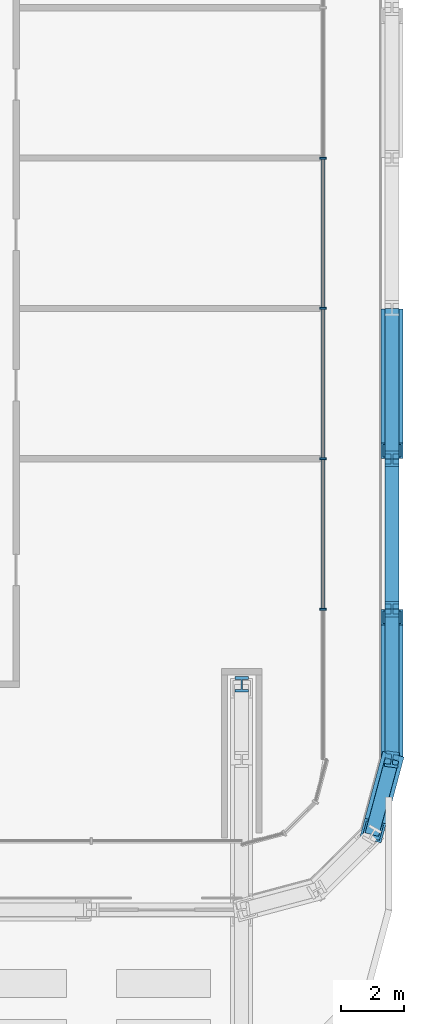
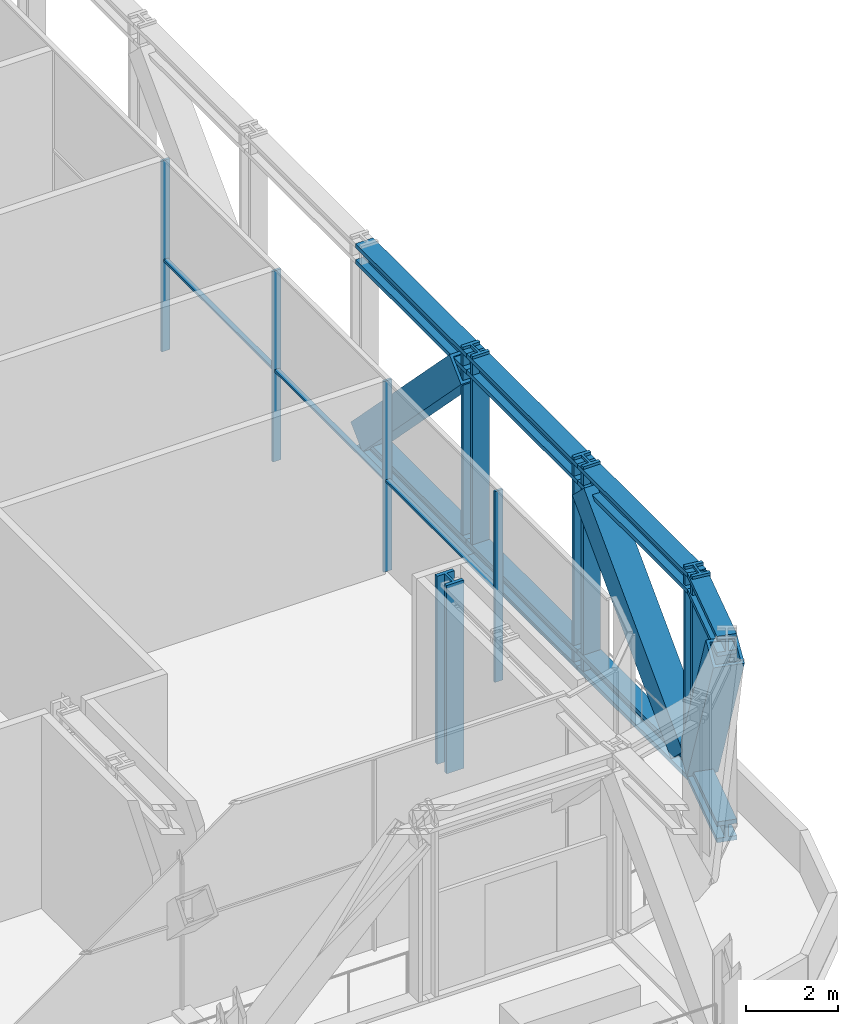
# One storey, part 6 of 23: 22 members, 1 element without a shape of its own.
"""IFC4 building model written with IfcOpenShell, lengths in metres."""

from ifc_helpers import new_model, si_unit, direction, frame, origin, origin_2d, place, context, subcontext, project, spatial, rectangle, hollow_rectangle, i_section, extrude, material, layer, layer_set, material_profile, profile_set, type_object, element, aggregate, save


model = new_model("IFC4")

# Units and contexts
model_context = context("Model", 3, precision=1e-05, world=origin(), true_north=direction((0.0, 1.0)))
body_context = subcontext(model_context, "Body", "Model", "MODEL_VIEW")
ifc_project = project(units=[si_unit("LENGTHUNIT", "METRE"), si_unit("AREAUNIT", "SQUARE_METRE"), si_unit("VOLUMEUNIT", "CUBIC_METRE"), si_unit("PLANEANGLEUNIT", "RADIAN"), si_unit("MASSUNIT", "GRAM", prefix="KILO")], contexts=[model_context])

# Site, building, storey
site_placement = place(None, origin())
site = spatial("IfcSite", under=ifc_project, at=site_placement, CompositionType="ELEMENT")
building_placement = place(site_placement, origin())
building = spatial("IfcBuilding", under=site, at=building_placement, Name="Madar Terraces", CompositionType="ELEMENT")
storey_placement = place(building_placement, frame((0.0, 0.0, 83.800048828125)))
storey = spatial("IfcBuildingStorey", under=building, at=storey_placement, Name="L21", CompositionType="ELEMENT", Elevation=83.800048828125)

# Members
ifc_material_1 = material(Name="Steel ASTM A913 Grade 65", Category="steel")
ifc_material_profile_1 = material_profile(ifc_material_1, i_section(OverallWidth=0.449462890625, OverallDepth=0.548583984375, WebThickness=0.07177734375, FlangeThickness=0.11474609375, at=origin_2d()), Name="W14x665")
ifc_profile_set_1 = profile_set([ifc_material_profile_1], Name="Steel ASTM A913 Grade 65")
member_type_1 = type_object("IfcMemberType", Name="BC3 W14x665", PredefinedType="CHORD", material=ifc_profile_set_1)
member_1_placement = place(storey_placement, frame((61.7568359375, 7.199951171875, -0.145751953125), z_axis=(0.258799930484, 0.965930947833, 0.0), x_axis=(-0.965930947833, 0.258799930484, 0.0)))
element("IfcMember", 1, at=member_1_placement, inside=storey, type_object=member_type_1, Name="Exoskeleton truss ring bottom chord BC3", PredefinedType="CHORD", context=body_context, shape_type="SweptSolid", body=[
    extrude(i_section(OverallWidth=0.449462890625, OverallDepth=0.548583984375, WebThickness=0.07177734375, FlangeThickness=0.11474609375, at=origin_2d()), origin(), (0.0, 0.0, 1.0), 2.48486328125),
])
member_2_placement = place(storey_placement, frame((62.39990234375, 9.60009765625, -0.145751953125), z_axis=(0.0, 1.0, 0.0), x_axis=(-1.0, 0.0, 0.0)))
element("IfcMember", 2, at=member_2_placement, inside=storey, type_object=member_type_1, Name="Exoskeleton truss ring bottom chord BC3", PredefinedType="CHORD", context=body_context, shape_type="SweptSolid", body=[
    extrude(i_section(OverallWidth=0.449462890625, OverallDepth=0.548583984375, WebThickness=0.07177734375, FlangeThickness=0.11474609375, at=origin_2d()), origin(), (0.0, 0.0, 1.0), 4.7998046875),
])
for number, where, z_axis, x_axis, name in (
    (3, (62.39990234375, 14.39990234375, -0.145751953125), (0.0, 1.0, 0.0), (-1.0, 0.0, 0.0), "Exoskeleton truss ring bottom chord BC3"),
    (4, (62.39990234375, 19.199951171875, -0.145751953125), (0.0, 1.0, 0.0), (-1.0, 0.0, 0.0), "Exoskeleton truss ring bottom chord BC3"),
):
    element("IfcMember", number, at=place(storey_placement, frame(where, z_axis=z_axis, x_axis=x_axis)), inside=storey, type_object=member_type_1, Name=name, PredefinedType="CHORD", context=body_context, shape_type="SweptSolid", body=[
        extrude(i_section(OverallWidth=0.449462890625, OverallDepth=0.548583984375, WebThickness=0.07177734375, FlangeThickness=0.11474609375, at=origin_2d()), origin(), (0.0, 0.0, 1.0), 4.800048828125),
    ])

# Curtain wall, members
ifc_material_2 = material(Name="Glass, ceramic frit dark grey, with black aluminium frame", Category="aluminium")
ifc_layer = layer(ifc_material_2, 0.199951171875)
ifc_layer_set = layer_set([ifc_layer], Name="Facade curtain wall, tall glazing")
curtain_wall_type = type_object("IfcCurtainWallType", Name="Facade curtain wall, tall glazing", PredefinedType="NOTDEFINED", material=ifc_layer_set)
curtain_wall_placement = place(storey_placement, origin())
curtain_wall = element("IfcCurtainWall", 5, at=curtain_wall_placement, inside=storey, type_object=curtain_wall_type, Name="Outer skin curtain wall east bay 1", PredefinedType="NOTDEFINED")
ifc_material_3 = material(Name="Aluminium, black anodised", Category="aluminium")
ifc_material_profile_2 = material_profile(ifc_material_3, rectangle(XDim=0.199951171875, YDim=0.06005859375, at=origin_2d()), Name="Facade mullion 60x200")
ifc_profile_set_2 = profile_set([ifc_material_profile_2], Name="Aluminium, black anodised")
member_type_2 = type_object("IfcMemberType", Name="Facade mullion 60x200", PredefinedType="MULLION", material=ifc_profile_set_2)
member_3_placement = place(storey_placement, frame((60.199951171875, 14.39990234375, 0.0), z_axis=(0.0, 0.0, 1.0), x_axis=(-1.0, 0.0, 0.0)))
member_3 = element("IfcMember", 6, at=member_3_placement, type_object=member_type_2, Name="Mullion 1", PredefinedType="MULLION", context=body_context, shape_type="SweptSolid", body=[
    extrude(rectangle(XDim=0.199951171875, YDim=0.06005859375, at=origin_2d()), origin(), (0.0, 0.0, 1.0), 5.0400390625),
])
member_4_placement = place(storey_placement, frame((60.199951171875, 19.199951171875, 0.0), z_axis=(0.0, 0.0, 1.0), x_axis=(-1.0, 0.0, 0.0)))
member_4 = element("IfcMember", 7, at=member_4_placement, type_object=member_type_2, Name="Mullion 2", PredefinedType="MULLION", context=body_context, shape_type="SweptSolid", body=[
    extrude(rectangle(XDim=0.199951171875, YDim=0.06005859375, at=origin_2d()), origin(), (0.0, 0.0, 1.0), 5.0400390625),
])
member_5_placement = place(storey_placement, frame((60.199951171875, 24.0, 0.0), z_axis=(0.0, 0.0, 1.0), x_axis=(-1.0, 0.0, 0.0)))
member_5 = element("IfcMember", 8, at=member_5_placement, type_object=member_type_2, Name="Mullion 3", PredefinedType="MULLION", context=body_context, shape_type="SweptSolid", body=[
    extrude(rectangle(XDim=0.199951171875, YDim=0.06005859375, at=origin_2d()), origin(), (0.0, 0.0, 1.0), 5.0400390625),
])
member_6_placement = place(storey_placement, frame((60.199951171875, 28.800048828125, 0.0), z_axis=(0.0, 0.0, 1.0), x_axis=(-1.0, 0.0, 0.0)))
member_6 = element("IfcMember", 9, at=member_6_placement, type_object=member_type_2, Name="Mullion 4", PredefinedType="MULLION", context=body_context, shape_type="SweptSolid", body=[
    extrude(rectangle(XDim=0.199951171875, YDim=0.06005859375, at=origin_2d()), origin(), (0.0, 0.0, 1.0), 5.0400390625),
])
ifc_material_4 = material(Name="Aluminium, black anodised", Category="aluminium")
ifc_material_profile_3 = material_profile(ifc_material_4, rectangle(XDim=0.1201171875, YDim=0.06005859375, at=origin_2d()), Name="Facade transom 60x120")
ifc_profile_set_3 = profile_set([ifc_material_profile_3], Name="Aluminium, black anodised")
member_type_3 = type_object("IfcMemberType", Name="Facade transom 60x120", PredefinedType="USERDEFINED", material=ifc_profile_set_3)
member_7_placement = place(storey_placement, frame((60.199951171875, 14.429931640625, 2.39990234375), z_axis=(0.0, 1.0, 0.0), x_axis=(-1.0, 0.0, 0.0)))
member_7 = element("IfcMember", 10, at=member_7_placement, type_object=member_type_3, Name="Transom 3", ObjectType="TRANSOM", PredefinedType="USERDEFINED", context=body_context, shape_type="SweptSolid", body=[
    extrude(rectangle(XDim=0.1201171875, YDim=0.06005859375, at=origin_2d()), origin(), (0.0, 0.0, 1.0), 4.739990234375),
])
member_8_placement = place(storey_placement, frame((60.199951171875, 19.22998046875, 2.39990234375), z_axis=(0.0, 1.0, 0.0), x_axis=(-1.0, 0.0, 0.0)))
member_8 = element("IfcMember", 11, at=member_8_placement, type_object=member_type_3, Name="Transom 4", ObjectType="TRANSOM", PredefinedType="USERDEFINED", context=body_context, shape_type="SweptSolid", body=[
    extrude(rectangle(XDim=0.1201171875, YDim=0.06005859375, at=origin_2d()), origin(), (0.0, 0.0, 1.0), 4.739990234375),
])
member_9_placement = place(storey_placement, frame((60.199951171875, 24.030029296875, 2.39990234375), z_axis=(0.0, 1.0, 0.0), x_axis=(-1.0, 0.0, 0.0)))
member_9 = element("IfcMember", 12, at=member_9_placement, type_object=member_type_3, Name="Transom 5", ObjectType="TRANSOM", PredefinedType="USERDEFINED", context=body_context, shape_type="SweptSolid", body=[
    extrude(rectangle(XDim=0.1201171875, YDim=0.06005859375, at=origin_2d()), origin(), (0.0, 0.0, 1.0), 4.739990234375),
])
aggregate(curtain_wall, [member_3, member_4, member_5, member_6, member_7, member_8, member_9])

# Members
ifc_material_5 = material(Name="Steel ASTM A913 Grade 65", Category="steel")
ifc_material_profile_4 = material_profile(ifc_material_5, i_section(OverallWidth=0.44189453125, OverallDepth=0.53076171875, WebThickness=0.06591796875, FlangeThickness=0.105712890625, at=origin_2d()), Name="W14x605")
ifc_profile_set_4 = profile_set([ifc_material_profile_4], Name="Steel ASTM A913 Grade 65")
member_type_4 = type_object("IfcMemberType", Name="TC3 W14x605", PredefinedType="CHORD", material=ifc_profile_set_4)
member_10_placement = place(storey_placement, frame((61.7568359375, 7.199951171875, 4.764404296875), z_axis=(0.258799930484, 0.965930947833, 0.0), x_axis=(-0.965930947833, 0.258799930484, 0.0)))
element("IfcMember", 13, at=member_10_placement, inside=storey, type_object=member_type_4, Name="Exoskeleton truss ring top chord TC3", PredefinedType="CHORD", context=body_context, shape_type="SweptSolid", body=[
    extrude(i_section(OverallWidth=0.44189453125, OverallDepth=0.53076171875, WebThickness=0.06591796875, FlangeThickness=0.105712890625, at=origin_2d()), origin(), (0.0, 0.0, 1.0), 2.48486328125),
])
member_11_placement = place(storey_placement, frame((62.39990234375, 9.60009765625, 4.764404296875), z_axis=(0.0, 1.0, 0.0), x_axis=(-1.0, 0.0, 0.0)))
element("IfcMember", 14, at=member_11_placement, inside=storey, type_object=member_type_4, Name="Exoskeleton truss ring top chord TC3", PredefinedType="CHORD", context=body_context, shape_type="SweptSolid", body=[
    extrude(i_section(OverallWidth=0.44189453125, OverallDepth=0.53076171875, WebThickness=0.06591796875, FlangeThickness=0.105712890625, at=origin_2d()), origin(), (0.0, 0.0, 1.0), 4.7998046875),
])
for number, where, z_axis, x_axis, name in (
    (15, (62.39990234375, 14.39990234375, 4.764404296875), (0.0, 1.0, 0.0), (-1.0, 0.0, 0.0), "Exoskeleton truss ring top chord TC3"),
    (16, (62.39990234375, 19.199951171875, 4.764404296875), (0.0, 1.0, 0.0), (-1.0, 0.0, 0.0), "Exoskeleton truss ring top chord TC3"),
):
    element("IfcMember", number, at=place(storey_placement, frame(where, z_axis=z_axis, x_axis=x_axis)), inside=storey, type_object=member_type_4, Name=name, PredefinedType="CHORD", context=body_context, shape_type="SweptSolid", body=[
        extrude(i_section(OverallWidth=0.44189453125, OverallDepth=0.53076171875, WebThickness=0.06591796875, FlangeThickness=0.105712890625, at=origin_2d()), origin(), (0.0, 0.0, 1.0), 4.800048828125),
    ])
ifc_material_6 = material(Name="Steel ASTM A572 Grade 50", Category="steel")
ifc_material_profile_5 = material_profile(ifc_material_6, hollow_rectangle(XDim=0.699951171875, YDim=0.699951171875, WallThickness=0.070068359375, at=origin_2d()), Name="BOX700x700x70")
ifc_profile_set_5 = profile_set([ifc_material_profile_5], Name="Steel ASTM A572 Grade 50")
member_type_5 = type_object("IfcMemberType", Name="TD3 BOX700x700x70", PredefinedType="BRACE", material=ifc_profile_set_5)
member_12_placement = place(storey_placement, frame((61.791748046875, 7.329833984375, 4.4990234375), z_axis=(0.116837614993, 0.436097394869, -0.89228248549), x_axis=(-0.965933760772, 0.258789431392, 0.0)))
element("IfcMember", 17, at=member_12_placement, inside=storey, type_object=member_type_5, Name="Exoskeleton truss ring diagonal TD3", PredefinedType="BRACE", context=body_context, shape_type="SweptSolid", body=[
    extrude(hollow_rectangle(XDim=0.699951171875, YDim=0.699951171875, WallThickness=0.070068359375, at=origin_2d()), origin(), (0.0, 0.0, 1.0), 4.89794921875),
])
for number, where, z_axis, x_axis, name in (
    (18, (62.39990234375, 9.8681640625, 0.128662109375), (0.0, 0.699052279579, 0.715070563242), (-1.0, 0.0, 0.0), "Exoskeleton truss ring diagonal TD3"),
    (19, (62.39990234375, 19.45947265625, 4.4990234375), (0.0, 0.699052279579, -0.715070563242), (-1.0, 0.0, 0.0), "Exoskeleton truss ring diagonal TD3"),
):
    element("IfcMember", number, at=place(storey_placement, frame(where, z_axis=z_axis, x_axis=x_axis)), inside=storey, type_object=member_type_5, Name=name, PredefinedType="BRACE", context=body_context, shape_type="SweptSolid", body=[
        extrude(hollow_rectangle(XDim=0.699951171875, YDim=0.699951171875, WallThickness=0.070068359375, at=origin_2d()), origin(), (0.0, 0.0, 1.0), 6.11181640625),
    ])
ifc_material_7 = material(Name="Steel ASTM A913 Grade 65", Category="steel")
ifc_material_profile_6 = material_profile(ifc_material_7, i_section(OverallWidth=0.431884765625, OverallDepth=0.497802734375, WebThickness=0.0556640625, FlangeThickness=0.0888671875, at=origin_2d()), Name="W14x500")
ifc_profile_set_6 = profile_set([ifc_material_profile_6], Name="Steel ASTM A913 Grade 65")
member_type_6 = type_object("IfcMemberType", Name="TV3 W14x500", PredefinedType="POST", material=ifc_profile_set_6)
member_13_placement = place(storey_placement, frame((62.39990234375, 9.60009765625, 0.128662109375), z_axis=(0.0, 0.0, 1.0), x_axis=(-0.991444863652, 0.130526174916, 0.0)))
element("IfcMember", 20, at=member_13_placement, inside=storey, type_object=member_type_6, Name="Exoskeleton truss ring post TV3", PredefinedType="POST", context=body_context, shape_type="SweptSolid", body=[
    extrude(i_section(OverallWidth=0.431884765625, OverallDepth=0.497802734375, WebThickness=0.0556640625, FlangeThickness=0.0888671875, at=origin_2d()), origin(), (0.0, 0.0, 1.0), 4.97119140625),
])
member_14_placement = place(storey_placement, frame((62.39990234375, 14.39990234375, -0.420166015625), z_axis=(0.0, 0.0, 1.0), x_axis=(-1.0, 0.0, 0.0)))
element("IfcMember", 21, at=member_14_placement, inside=storey, type_object=member_type_6, Name="Exoskeleton truss ring post TV3", PredefinedType="POST", context=body_context, shape_type="SweptSolid", body=[
    extrude(i_section(OverallWidth=0.431884765625, OverallDepth=0.497802734375, WebThickness=0.0556640625, FlangeThickness=0.0888671875, at=origin_2d()), origin(), (0.0, 0.0, 1.0), 5.52001953125),
])
for number, where, z_axis, x_axis, name in (
    (22, (62.39990234375, 19.199951171875, 0.128662109375), (0.0, 0.0, 1.0), (-1.0, 0.0, 0.0), "Exoskeleton truss ring post TV3"),
    (23, (57.60009765625, 12.0, 0.128662109375), (0.0, 0.0, 1.0), (-1.0, 0.0, 0.0), "Exoskeleton truss cross S57.6 post TV3"),
):
    element("IfcMember", number, at=place(storey_placement, frame(where, z_axis=z_axis, x_axis=x_axis)), inside=storey, type_object=member_type_6, Name=name, PredefinedType="POST", context=body_context, shape_type="SweptSolid", body=[
        extrude(i_section(OverallWidth=0.431884765625, OverallDepth=0.497802734375, WebThickness=0.0556640625, FlangeThickness=0.0888671875, at=origin_2d()), origin(), (0.0, 0.0, 1.0), 4.97119140625),
    ])

save(model, "model.ifc")
